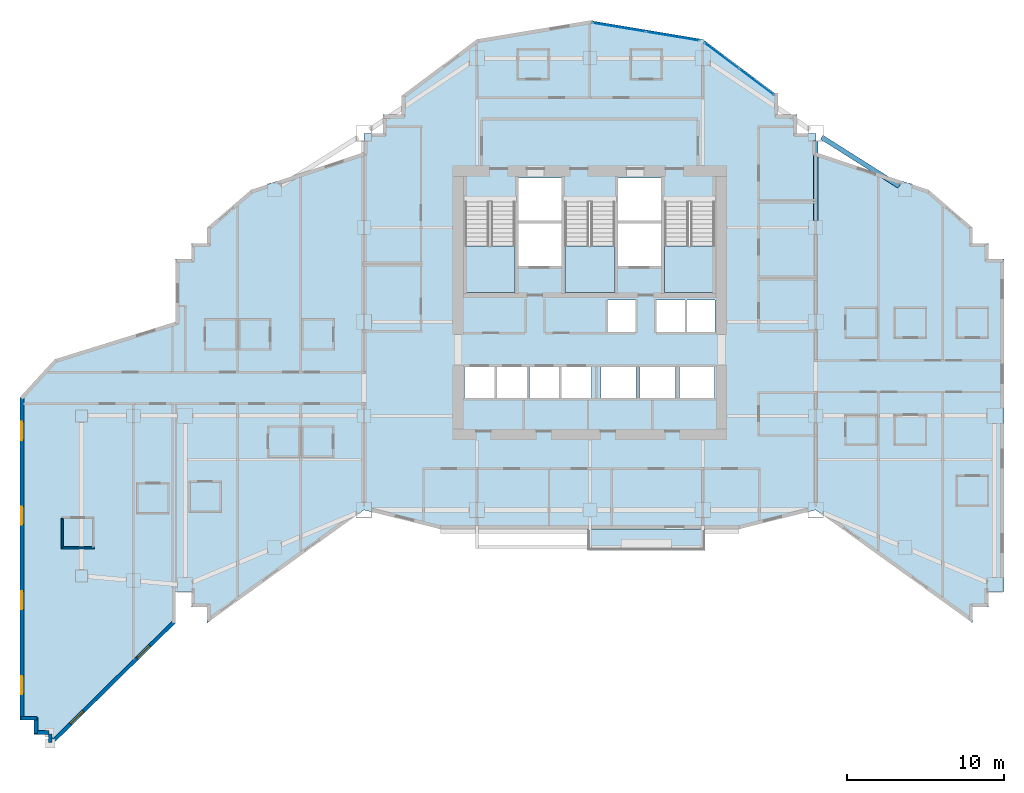
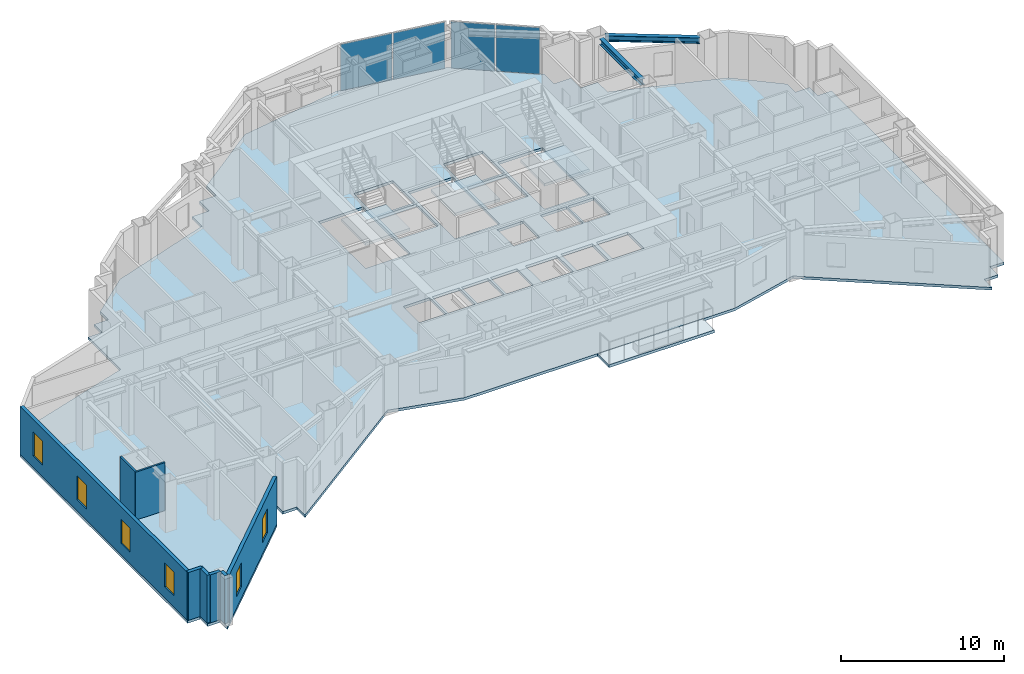
# One storey, part 4 of 13: 8 walls, 6 windows, 5 slabs, 4 plates, 2 beams, 6 openings, 5 elements without a shape of their own.
"""IFC4 building model written with IfcOpenShell, lengths in metres."""

from ifc_helpers import new_model, si_unit, direction, frame, frame_2d, origin, origin_2d, place, context, subcontext, project, spatial, polyline, rectangle, i_section, outline, extrude, material, layer, layer_set, material_profile, profile_set, type_object, element, fill, aggregate, save


model = new_model("IFC4")

# Units and contexts
model_context = context("Model", 3, precision=1e-05, world=origin(), true_north=direction((0.0, 1.0)))
body_context = subcontext(model_context, "Body", "Model", "MODEL_VIEW")
ifc_project = project(units=[si_unit("LENGTHUNIT", "METRE"), si_unit("AREAUNIT", "SQUARE_METRE"), si_unit("VOLUMEUNIT", "CUBIC_METRE"), si_unit("PLANEANGLEUNIT", "RADIAN"), si_unit("MASSUNIT", "GRAM", prefix="KILO")], contexts=[model_context])

# Site, building, storey
site_placement = place(None, origin())
site = spatial("IfcSite", under=ifc_project, at=site_placement, CompositionType="ELEMENT")
building_placement = place(site_placement, origin())
building = spatial("IfcBuilding", under=site, at=building_placement, Name="Haolan Belvedere Tower", CompositionType="ELEMENT")
storey_placement = place(building_placement, frame((0.0, 0.0, 117.39990234375)))
storey = spatial("IfcBuildingStorey", under=building, at=storey_placement, Name="L29", CompositionType="ELEMENT", Elevation=117.39990234375)

# Beams
ifc_material_1 = material(Name="Steel Q355B", Category="steel")
ifc_material_profile = material_profile(ifc_material_1, i_section(OverallWidth=0.300048828125, OverallDepth=0.43994140625, WebThickness=0.010986328125, FlangeThickness=0.01806640625, FilletRadius=0.02392578125, at=origin_2d()), Name="Steel Q355B")
ifc_profile_set = profile_set([ifc_material_profile], Name="Steel Q355B")
beam_type = type_object("IfcBeamType", Name="BM-HM440x300x11x18", PredefinedType="SPANDREL", material=ifc_profile_set)
beam_1_placement = place(storey_placement, frame((52.800048828125, 40.050048828125, 3.380126953125), z_axis=(0.0, 1.0, 0.0), x_axis=(-1.0, 0.0, 0.0)))
element("IfcBeam", 1, at=beam_1_placement, inside=storey, type_object=beam_type, Name="L29 spandrel girder TC-T3-E2-MC-T3-NE", PredefinedType="SPANDREL", context=body_context, shape_type="SweptSolid", body=[
    extrude(i_section(OverallWidth=0.300048828125, OverallDepth=0.43994140625, WebThickness=0.010986328125, FlangeThickness=0.01806640625, FilletRadius=0.02392578125, at=origin_2d()), origin(), (0.0, 0.0, 1.0), 5.099853515625),
])
beam_2_placement = place(storey_placement, frame((53.180419921875, 45.359619140625, 3.380126953125), z_axis=(0.845497840649, -0.533978839898, 0.0), x_axis=(0.533978839898, 0.845497840649, 0.0)))
element("IfcBeam", 2, at=beam_2_placement, inside=storey, type_object=beam_type, Name="L29 spandrel girder MC-T3-NE-TC-T4-N1", PredefinedType="SPANDREL", context=body_context, shape_type="SweptSolid", body=[
    extrude(i_section(OverallWidth=0.300048828125, OverallDepth=0.43994140625, WebThickness=0.010986328125, FlangeThickness=0.01806640625, FilletRadius=0.02392578125, at=origin_2d()), origin(), (0.0, 0.0, 1.0), 5.841796875),
])

# Curtain wall, plates
ifc_material_2 = material(Name="Anodised champagne-silver aluminium 6063-T6 and Low-E glass", Category="aluminium")
ifc_layer_1 = layer(ifc_material_2, 0.155029296875, Name="Anodised champagne-silver aluminium 6063-T6 and Low-E glass")
ifc_layer_set_1 = layer_set([ifc_layer_1], Name="Anodised champagne-silver aluminium 6063-T6 and Low-E glass")
curtain_wall_type = type_object("IfcCurtainWallType", Name="CW-SYS-03", PredefinedType="NOTDEFINED", material=ifc_layer_set_1)
curtain_wall_1_placement = place(storey_placement, origin())
curtain_wall_1 = element("IfcCurtainWall", 3, at=curtain_wall_1_placement, inside=storey, type_object=curtain_wall_type, Name="L29 CW-SYS-03 ribbon curtain wall 26.1", PredefinedType="NOTDEFINED")
ifc_material_3 = material(Name="Double silver Low-E laminated insulating glass", Category="glass")
ifc_layer_2 = layer(ifc_material_3, 0.02392578125, Name="Double silver Low-E laminated insulating glass")
ifc_layer_set_2 = layer_set([ifc_layer_2], Name="Double silver Low-E laminated insulating glass")
plate_type = type_object("IfcPlateType", Name="CW-SYS-03-PNL", PredefinedType="CURTAIN_PANEL", material=ifc_layer_set_2)
plate_1_placement = place(storey_placement, frame((49.0302734375, 48.877197265625, 0.05419921875), z_axis=(0.0, 0.0, 1.0), x_axis=(-0.800004262313, 0.599994316874, 0.0)))
plate_1 = element("IfcPlate", 4, at=plate_1_placement, type_object=plate_type, Name="CW-03 panel 1.1", PredefinedType="CURTAIN_PANEL", context=body_context, shape_type="SweptSolid", body=[
    extrude(rectangle(XDim=2.728271484375, YDim=0.02392578125, at=origin_2d()), origin(), (0.0, 0.0, 1.0), 3.491943359375),
])
plate_2_placement = place(storey_placement, frame((46.80126953125, 50.549072265625, 0.05419921875), z_axis=(0.0, 0.0, 1.0), x_axis=(-0.800004262313, 0.599994316874, 0.0)))
plate_2 = element("IfcPlate", 5, at=plate_2_placement, type_object=plate_type, Name="CW-03 panel 2.1", PredefinedType="CURTAIN_PANEL", context=body_context, shape_type="SweptSolid", body=[
    extrude(rectangle(XDim=2.728271484375, YDim=0.02392578125, at=origin_2d()), origin(), (0.0, 0.0, 1.0), 3.491943359375),
])
aggregate(curtain_wall_1, [plate_1, plate_2])

curtain_wall_2_placement = place(storey_placement, origin())
curtain_wall_2 = element("IfcCurtainWall", 6, at=curtain_wall_2_placement, inside=storey, type_object=curtain_wall_type, Name="L29 CW-SYS-03 ribbon curtain wall 27.1", PredefinedType="NOTDEFINED")
plate_3_placement = place(storey_placement, frame((43.68017578125, 51.79833984375, 0.05419921875), z_axis=(0.0, 0.0, 1.0), x_axis=(-0.9863931483, 0.16440364043, 0.0)))
plate_3 = element("IfcPlate", 7, at=plate_3_placement, type_object=plate_type, Name="CW-03 panel 1.1", PredefinedType="CURTAIN_PANEL", context=body_context, shape_type="SweptSolid", body=[
    extrude(rectangle(XDim=3.39794921875, YDim=0.02392578125, at=origin_2d()), origin(), (0.0, 0.0, 1.0), 3.491943359375),
])
plate_4_placement = place(storey_placement, frame((40.271240234375, 52.366455078125, 0.05419921875), z_axis=(0.0, 0.0, 1.0), x_axis=(-0.9863931483, 0.16440364043, 0.0)))
plate_4 = element("IfcPlate", 8, at=plate_4_placement, type_object=plate_type, Name="CW-03 panel 2.1", PredefinedType="CURTAIN_PANEL", context=body_context, shape_type="SweptSolid", body=[
    extrude(rectangle(XDim=3.39794921875, YDim=0.02392578125, at=origin_2d()), origin(), (0.0, 0.0, 1.0), 3.491943359375),
])
aggregate(curtain_wall_2, [plate_3, plate_4])

# Slabs
ifc_material_4 = material(Name="Concrete C40/50", Category="concrete")
ifc_layer_3 = layer(ifc_material_4, 0.2099609375, Name="Concrete C40/50")
ifc_layer_set_3 = layer_set([ifc_layer_3], Name="Concrete C40/50")
slab_type_1 = type_object("IfcSlabType", Name="SL-BAL-210", PredefinedType="FLOOR", material=ifc_layer_set_3)
slab_1_placement = place(storey_placement, frame((0.0, 0.0, -0.22998046875)))
element("IfcSlab", 9, at=slab_1_placement, inside=storey, type_object=slab_type_1, Name="L29 structural tree-planter balcony slab BAL-L29-S1", PredefinedType="FLOOR", context=body_context, shape_type="SweptSolid", body=[
    extrude(outline(polyline([(38.25, 19.02001953125), (45.75, 19.02001953125), (45.75, 20.39990234375), (38.25, 20.39990234375), (38.25, 19.02001953125)])), origin(), (0.0, 0.0, 1.0), 0.2099609375),
])
ifc_layer_4 = layer(ifc_material_4, 0.199951171875, Name="Concrete C40/50")
ifc_layer_set_4 = layer_set([ifc_layer_4], Name="Concrete C40/50")
slab_type_2 = type_object("IfcSlabType", Name="SL-FLR-200", PredefinedType="FLOOR", material=ifc_layer_set_4)
slab_2_placement = place(storey_placement, frame((0.0, 0.0, -0.199951171875)))
element("IfcSlab", 10, at=slab_2_placement, inside=storey, type_object=slab_type_2, Name="L29 structural floor slab", PredefinedType="FLOOR", context=body_context, shape_type="SweptSolid", body=[
    extrude(outline(polyline([(12.0, 14.39990234375), (12.0, 16.39990234375), (13.0, 16.39990234375), (13.0, 15.39990234375), (14.0, 15.39990234375), (14.0, 14.39990234375), (24.0, 21.60009765625), (28.800048828125, 20.39990234375), (48.0, 20.39990234375), (52.800048828125, 21.60009765625), (62.800048828125, 14.39990234375), (62.800048828125, 15.39990234375), (63.800048828125, 15.39990234375), (63.800048828125, 16.39990234375), (64.800048828125, 16.39990234375), (64.800048828125, 37.60009765625), (63.800048828125, 37.60009765625), (63.800048828125, 38.60009765625), (62.800048828125, 38.60009765625), (62.800048828125, 39.60009765625), (60.0, 42.0), (52.800048828125, 44.39990234375), (52.800048828125, 45.60009765625), (51.60009765625, 45.60009765625), (51.60009765625, 46.800048828125), (50.39990234375, 46.800048828125), (50.39990234375, 48.0), (45.60009765625, 51.60009765625), (38.39990234375, 52.800048828125), (31.199951171875, 51.60009765625), (26.39990234375, 48.0), (26.39990234375, 46.800048828125), (25.199951171875, 46.800048828125), (25.199951171875, 45.60009765625), (24.0, 45.60009765625), (24.0, 44.39990234375), (16.800048828125, 42.0), (14.0, 39.60009765625), (14.0, 38.60009765625), (13.0, 38.60009765625), (13.0, 37.60009765625), (12.0, 37.60009765625), (12.0, 33.60009765625), (4.280029296875, 31.199951171875), (2.080078125, 28.800048828125), (2.080078125, 8.7958984375), (2.080078125, 8.196044921875), (2.97998046875, 8.196044921875), (2.97998046875, 7.2958984375), (3.8798828125, 7.2958984375), (3.8798828125, 6.39599609375), (12.0, 14.39990234375)]), holes=[polyline([(30.449951171875, 41.22998046875), (30.449951171875, 35.449951171875), (33.6298828125, 35.449951171875), (33.6298828125, 41.22998046875), (30.449951171875, 41.22998046875)]), polyline([(36.81005859375, 41.22998046875), (36.81005859375, 35.449951171875), (39.989990234375, 35.449951171875), (39.989990234375, 41.22998046875), (36.81005859375, 41.22998046875)]), polyline([(43.169921875, 41.22998046875), (43.169921875, 35.449951171875), (46.35009765625, 35.449951171875), (46.35009765625, 41.22998046875), (43.169921875, 41.22998046875)]), polyline([(33.830078125, 40.050048828125), (36.610107421875, 40.050048828125), (36.610107421875, 42.75), (33.830078125, 42.75), (33.830078125, 40.050048828125)]), polyline([(33.830078125, 37.14990234375), (36.610107421875, 37.14990234375), (36.610107421875, 39.85009765625), (33.830078125, 39.85009765625), (33.830078125, 37.14990234375)]), polyline([(40.18994140625, 40.050048828125), (42.969970703125, 40.050048828125), (42.969970703125, 42.75), (40.18994140625, 42.75), (40.18994140625, 40.050048828125)]), polyline([(40.18994140625, 37.14990234375), (42.969970703125, 37.14990234375), (42.969970703125, 39.85009765625), (40.18994140625, 39.85009765625), (40.18994140625, 37.14990234375)]), polyline([(39.5400390625, 32.949951171875), (41.389892578125, 32.949951171875), (41.389892578125, 35.0), (39.5400390625, 35.0), (39.5400390625, 32.949951171875)]), polyline([(42.6201171875, 32.949951171875), (44.469970703125, 32.949951171875), (44.469970703125, 35.0), (42.6201171875, 35.0), (42.6201171875, 32.949951171875)]), polyline([(44.580078125, 32.949951171875), (46.3798828125, 32.949951171875), (46.3798828125, 35.0), (44.580078125, 35.0), (44.580078125, 32.949951171875)]), polyline([(30.419921875, 28.75), (32.320068359375, 28.75), (32.320068359375, 30.75), (30.419921875, 30.75), (30.419921875, 28.75)]), polyline([(32.47998046875, 28.75), (34.3798828125, 28.75), (34.3798828125, 30.75), (32.47998046875, 30.75), (32.47998046875, 28.75)]), polyline([(34.5400390625, 28.75), (36.43994140625, 28.75), (36.43994140625, 30.75), (34.5400390625, 30.75), (34.5400390625, 28.75)]), polyline([(36.60009765625, 28.75), (38.5, 28.75), (38.5, 30.75), (36.60009765625, 30.75), (36.60009765625, 28.75)]), polyline([(39.10009765625, 28.75), (41.340087890625, 28.75), (41.340087890625, 30.75), (39.10009765625, 30.75), (39.10009765625, 28.75)]), polyline([(41.610107421875, 28.75), (43.85009765625, 28.75), (43.85009765625, 30.75), (41.610107421875, 30.75), (41.610107421875, 28.75)]), polyline([(44.1201171875, 28.75), (46.360107421875, 28.75), (46.360107421875, 30.75), (44.1201171875, 30.75), (44.1201171875, 28.75)])]), origin(), (0.0, 0.0, 1.0), 0.199951171875),
])

# Stair, slab
stair_type = type_object("IfcStairType", Name="STR-DL-22R-173", PredefinedType="HALF_TURN_STAIR", material=ifc_material_4)
stair_1_placement = place(storey_placement, origin())
stair_1 = element("IfcStair", 11, at=stair_1_placement, inside=storey, type_object=stair_type, Name="L29 Smokeproof Core Exit Stair ST1", PredefinedType="HALF_TURN_STAIR")
ifc_layer_5 = layer(ifc_material_4, 0.199951171875, Name="Concrete C40/50")
ifc_layer_set_5 = layer_set([ifc_layer_5], Name="Concrete C40/50")
slab_type_3 = type_object("IfcSlabType", Name="SL-LAND-200", PredefinedType="LANDING", material=ifc_layer_set_5)
slab_3_placement = place(storey_placement, frame((0.0, 0.0, 1.7001953125)))
slab_3 = element("IfcSlab", 12, at=slab_3_placement, type_object=slab_type_3, Name="ST1 landing 1", PredefinedType="LANDING", context=body_context, shape_type="SweptSolid", body=[
    extrude(outline(polyline([(30.449951171875, 38.429931640625), (30.449951171875, 35.449951171875), (33.6298828125, 35.449951171875), (33.6298828125, 38.429931640625), (30.449951171875, 38.429931640625)])), origin(), (0.0, 0.0, 1.0), 0.199951171875),
])
aggregate(stair_1, [slab_3])

stair_2_placement = place(storey_placement, origin())
stair_2 = element("IfcStair", 13, at=stair_2_placement, inside=storey, type_object=stair_type, Name="L29 Smokeproof Core Exit Stair ST3", PredefinedType="HALF_TURN_STAIR")
slab_4_placement = place(storey_placement, frame((0.0, 0.0, 1.7001953125)))
slab_4 = element("IfcSlab", 14, at=slab_4_placement, type_object=slab_type_3, Name="ST3 landing 1", PredefinedType="LANDING", context=body_context, shape_type="SweptSolid", body=[
    extrude(outline(polyline([(36.81005859375, 38.429931640625), (36.81005859375, 35.449951171875), (39.989990234375, 35.449951171875), (39.989990234375, 38.429931640625), (36.81005859375, 38.429931640625)])), origin(), (0.0, 0.0, 1.0), 0.199951171875),
])
aggregate(stair_2, [slab_4])

stair_3_placement = place(storey_placement, origin())
stair_3 = element("IfcStair", 15, at=stair_3_placement, inside=storey, type_object=stair_type, Name="L29 Smokeproof Core Exit Stair ST2", PredefinedType="HALF_TURN_STAIR")
slab_5_placement = place(storey_placement, frame((0.0, 0.0, 1.7001953125)))
slab_5 = element("IfcSlab", 16, at=slab_5_placement, type_object=slab_type_3, Name="ST2 landing 1", PredefinedType="LANDING", context=body_context, shape_type="SweptSolid", body=[
    extrude(outline(polyline([(43.169921875, 38.429931640625), (43.169921875, 35.449951171875), (46.35009765625, 35.449951171875), (46.35009765625, 38.429931640625), (43.169921875, 38.429931640625)])), origin(), (0.0, 0.0, 1.0), 0.199951171875),
])
aggregate(stair_3, [slab_5])

# Wall, openings, windows
ifc_material_5 = material(Name="Precast concrete C40/50", Category="concrete")
ifc_layer_6 = layer(ifc_material_5, 0.239990234375, Name="Precast concrete C40/50")
ifc_layer_set_6 = layer_set([ifc_layer_6], Name="Precast concrete C40/50")
wall_type_1 = type_object("IfcWallType", Name="WL-EXT-240", PredefinedType="SOLIDWALL", material=ifc_layer_set_6)
wall_1_placement = place(storey_placement, frame((2.199951171875, 28.808349609375, 0.0), z_axis=(0.0, 0.0, 1.0), x_axis=(0.0, -1.0, 0.0)))
wall_1 = element("IfcWall", 17, at=wall_1_placement, inside=storey, type_object=wall_type_1, Name="L29 pale-metal exterior spandrel wall 44.1", PredefinedType="SOLIDWALL", context=body_context, shape_type="SweptSolid", body=[
    extrude(rectangle(XDim=20.54736328125, YDim=0.239990234375, at=frame_2d((10.273681640625, 0.0))), origin(), (0.0, 0.0, 1.0), 3.60009765625),
])
opening_1_placement = place(wall_1_placement, frame((1.60009765625, 0.0, 0.85009765625)))
opening_1 = element("IfcOpeningElement", 18, at=opening_1_placement, cuts=wall_1, Name="Opening W-02", PredefinedType="OPENING", context=body_context, shape_type="SweptSolid", body=[
    extrude(rectangle(XDim=1.14990234375, YDim=1.800048828125, at=frame_2d((0.574951171875, 0.89990234375))), frame((0.0, 0.1298828125, 0.0), z_axis=(0.0, -1.0, 0.0), x_axis=(1.0, 0.0, 0.0)), (0.0, 0.0, 1.0), 0.260009765625),
])
opening_2_placement = place(wall_1_placement, frame((7.0, 0.0, 0.85009765625)))
opening_2 = element("IfcOpeningElement", 19, at=opening_2_placement, cuts=wall_1, Name="Opening W-02", PredefinedType="OPENING", context=body_context, shape_type="SweptSolid", body=[
    extrude(rectangle(XDim=1.14990234375, YDim=1.800048828125, at=frame_2d((0.574951171875, 0.89990234375))), frame((0.0, 0.1298828125, 0.0), z_axis=(0.0, -1.0, 0.0), x_axis=(1.0, 0.0, 0.0)), (0.0, 0.0, 1.0), 0.260009765625),
])
opening_3_placement = place(wall_1_placement, frame((12.39990234375, 0.0, 0.85009765625)))
opening_3 = element("IfcOpeningElement", 20, at=opening_3_placement, cuts=wall_1, Name="Opening W-02", PredefinedType="OPENING", context=body_context, shape_type="SweptSolid", body=[
    extrude(rectangle(XDim=1.14990234375, YDim=1.800048828125, at=frame_2d((0.574951171875, 0.89990234375))), frame((0.0, 0.1298828125, 0.0), z_axis=(0.0, -1.0, 0.0), x_axis=(1.0, 0.0, 0.0)), (0.0, 0.0, 1.0), 0.260009765625),
])
opening_4_placement = place(wall_1_placement, frame((17.800048828125, 0.0, 0.85009765625)))
opening_4 = element("IfcOpeningElement", 21, at=opening_4_placement, cuts=wall_1, Name="Opening W-02", PredefinedType="OPENING", context=body_context, shape_type="SweptSolid", body=[
    extrude(rectangle(XDim=1.14990234375, YDim=1.800048828125, at=frame_2d((0.574951171875, 0.89990234375))), frame((0.0, 0.1298828125, 0.0), z_axis=(0.0, -1.0, 0.0), x_axis=(1.0, 0.0, 0.0)), (0.0, 0.0, 1.0), 0.260009765625),
])
ifc_material_6 = material(Name="Anodised aluminium 6063-T6 and Low-E glass", Category="aluminium")
window_type = type_object("IfcWindowType", Name="WN-DECO-Z2", PartitioningType="SINGLE_PANEL", PredefinedType="WINDOW", material=ifc_material_6)
window_1_placement = place(opening_1_placement, origin())
window_1 = element("IfcWindow", 22, at=window_1_placement, inside=storey, type_object=window_type, Name="L29 Art Deco chevron window 1", OverallHeight=1.800048828125, OverallWidth=1.14990234375, PartitioningType="SINGLE_PANEL", PredefinedType="WINDOW", context=body_context, shape_type="SweptSolid", body=[
    extrude(rectangle(XDim=1.14990234375, YDim=1.800048828125, at=frame_2d((0.574951171875, 0.89990234375))), frame((0.0, 0.030029296875, 0.0), z_axis=(0.0, -1.0, 0.0), x_axis=(1.0, 0.0, 0.0)), (0.0, 0.0, 1.0), 0.06005859375),
])
fill(opening_1, window_1)
window_2_placement = place(opening_2_placement, origin())
window_2 = element("IfcWindow", 23, at=window_2_placement, inside=storey, type_object=window_type, Name="L29 Art Deco chevron window 2", OverallHeight=1.800048828125, OverallWidth=1.14990234375, PartitioningType="SINGLE_PANEL", PredefinedType="WINDOW", context=body_context, shape_type="SweptSolid", body=[
    extrude(rectangle(XDim=1.14990234375, YDim=1.800048828125, at=frame_2d((0.574951171875, 0.89990234375))), frame((0.0, 0.030029296875, 0.0), z_axis=(0.0, -1.0, 0.0), x_axis=(1.0, 0.0, 0.0)), (0.0, 0.0, 1.0), 0.06005859375),
])
fill(opening_2, window_2)
window_3_placement = place(opening_3_placement, origin())
window_3 = element("IfcWindow", 24, at=window_3_placement, inside=storey, type_object=window_type, Name="L29 Art Deco chevron window 3", OverallHeight=1.800048828125, OverallWidth=1.14990234375, PartitioningType="SINGLE_PANEL", PredefinedType="WINDOW", context=body_context, shape_type="SweptSolid", body=[
    extrude(rectangle(XDim=1.14990234375, YDim=1.800048828125, at=frame_2d((0.574951171875, 0.89990234375))), frame((0.0, 0.030029296875, 0.0), z_axis=(0.0, -1.0, 0.0), x_axis=(1.0, 0.0, 0.0)), (0.0, 0.0, 1.0), 0.06005859375),
])
fill(opening_3, window_3)
window_4_placement = place(opening_4_placement, origin())
window_4 = element("IfcWindow", 25, at=window_4_placement, inside=storey, type_object=window_type, Name="L29 Art Deco chevron window 4", OverallHeight=1.800048828125, OverallWidth=1.14990234375, PartitioningType="SINGLE_PANEL", PredefinedType="WINDOW", context=body_context, shape_type="SweptSolid", body=[
    extrude(rectangle(XDim=1.14990234375, YDim=1.800048828125, at=frame_2d((0.574951171875, 0.89990234375))), frame((0.0, 0.030029296875, 0.0), z_axis=(0.0, -1.0, 0.0), x_axis=(1.0, 0.0, 0.0)), (0.0, 0.0, 1.0), 0.06005859375),
])
fill(opening_4, window_4)

# Walls
for number, where, z_axis, x_axis, name in (
    (26, (2.14501953125, 8.31591796875, 0.0), (0.0, 0.0, 1.0), (1.0, 0.0, 0.0), "L29 pale-metal exterior spandrel wall 45.1"),
    (27, (3.10009765625, 8.37109375, 0.0), (0.0, 0.0, 1.0), (0.0, -1.0, 0.0), "L29 pale-metal exterior spandrel wall 46.1"),
):
    element("IfcWall", number, at=place(storey_placement, frame(where, z_axis=z_axis, x_axis=x_axis)), inside=storey, type_object=wall_type_1, Name=name, PredefinedType="SOLIDWALL", context=body_context, shape_type="SweptSolid", body=[
        extrude(rectangle(XDim=1.010009765625, YDim=0.239990234375, at=frame_2d((0.5048828125, 0.0))), origin(), (0.0, 0.0, 1.0), 3.60009765625),
    ])
wall_2_placement = place(storey_placement, frame((3.179931640625, 7.416015625, 0.0), z_axis=(0.0, 0.0, 1.0), x_axis=(1.0, 0.0, 0.0)))
element("IfcWall", 28, at=wall_2_placement, inside=storey, type_object=wall_type_1, Name="L29 pale-metal exterior spandrel wall 47.1", PredefinedType="SOLIDWALL", context=body_context, shape_type="SweptSolid", body=[
    extrude(rectangle(XDim=0.735107421875, YDim=0.239990234375, at=frame_2d((0.36767578125, 0.0))), origin(), (0.0, 0.0, 1.0), 3.60009765625),
])
wall_3_placement = place(storey_placement, frame((4.0, 7.3310546875, 0.0), z_axis=(0.0, 0.0, 1.0), x_axis=(0.0, -1.0, 0.0)))
element("IfcWall", 29, at=wall_3_placement, inside=storey, type_object=wall_type_1, Name="L29 pale-metal exterior spandrel wall 48.1", PredefinedType="SOLIDWALL", context=body_context, shape_type="SweptSolid", body=[
    extrude(rectangle(XDim=0.563232421875, YDim=0.239990234375, at=frame_2d((0.28173828125, 0.0))), origin(), (0.0, 0.0, 1.0), 3.60009765625),
])

# Wall, openings, windows
wall_4_placement = place(storey_placement, frame((4.156494140625, 6.83740234375, 0.0), z_axis=(0.0, 0.0, 1.0), x_axis=(0.712195287167, 0.701981390735, 0.0)))
wall_4 = element("IfcWall", 30, at=wall_4_placement, inside=storey, type_object=wall_type_1, Name="L29 pale-metal exterior spandrel wall 49.1", PredefinedType="SOLIDWALL", context=body_context, shape_type="SweptSolid", body=[
    extrude(rectangle(XDim=10.899658203125, YDim=0.239990234375, at=frame_2d((5.44970703125, 0.0))), origin(), (0.0, 0.0, 1.0), 3.60009765625),
])
opening_5_placement = place(wall_4_placement, frame((1.60009765625, 0.0, 0.85009765625)))
opening_5 = element("IfcOpeningElement", 31, at=opening_5_placement, cuts=wall_4, Name="Opening W-02", PredefinedType="OPENING", context=body_context, shape_type="SweptSolid", body=[
    extrude(rectangle(XDim=1.14990234375, YDim=1.800048828125, at=frame_2d((0.574951171875, 0.89990234375))), frame((0.0, 0.1298828125, 0.0), z_axis=(0.0, -1.0, 0.0), x_axis=(1.0, 0.0, 0.0)), (0.0, 0.0, 1.0), 0.260009765625),
])
opening_6_placement = place(wall_4_placement, frame((7.560546875, 0.0, 0.85009765625)))
opening_6 = element("IfcOpeningElement", 32, at=opening_6_placement, cuts=wall_4, Name="Opening W-02", PredefinedType="OPENING", context=body_context, shape_type="SweptSolid", body=[
    extrude(rectangle(XDim=1.14990234375, YDim=1.800048828125, at=frame_2d((0.574951171875, 0.89990234375))), frame((0.0, 0.1298828125, 0.0), z_axis=(0.0, -1.0, 0.0), x_axis=(1.0, 0.0, 0.0)), (0.0, 0.0, 1.0), 0.260009765625),
])
window_5_placement = place(opening_5_placement, origin())
window_5 = element("IfcWindow", 33, at=window_5_placement, inside=storey, type_object=window_type, Name="L29 Art Deco chevron window 1", OverallHeight=1.800048828125, OverallWidth=1.14990234375, PartitioningType="SINGLE_PANEL", PredefinedType="WINDOW", context=body_context, shape_type="SweptSolid", body=[
    extrude(rectangle(XDim=1.14990234375, YDim=1.800048828125, at=frame_2d((0.574951171875, 0.89990234375))), frame((0.0, 0.030029296875, 0.0), z_axis=(0.0, -1.0, 0.0), x_axis=(1.0, 0.0, 0.0)), (0.0, 0.0, 1.0), 0.06005859375),
])
fill(opening_5, window_5)
window_6_placement = place(opening_6_placement, origin())
window_6 = element("IfcWindow", 34, at=window_6_placement, inside=storey, type_object=window_type, Name="L29 Art Deco chevron window 2", OverallHeight=1.800048828125, OverallWidth=1.14990234375, PartitioningType="SINGLE_PANEL", PredefinedType="WINDOW", context=body_context, shape_type="SweptSolid", body=[
    extrude(rectangle(XDim=1.14990234375, YDim=1.800048828125, at=frame_2d((0.574951171875, 0.89990234375))), frame((0.0, 0.030029296875, 0.0), z_axis=(0.0, -1.0, 0.0), x_axis=(1.0, 0.0, 0.0)), (0.0, 0.0, 1.0), 0.06005859375),
])
fill(opening_6, window_6)

# Walls
ifc_material_7 = material(Name="Moisture-resistant gypsum tile partition", Category="masonry")
ifc_layer_7 = layer(ifc_material_7, 0.1201171875, Name="Moisture-resistant gypsum tile partition")
ifc_layer_set_7 = layer_set([ifc_layer_7], Name="Moisture-resistant gypsum tile partition")
wall_type_2 = type_object("IfcWallType", Name="WL-WET-120", PredefinedType="PARTITIONING", material=ifc_layer_set_7)
wall_5_placement = place(storey_placement, frame((4.705078125, 19.18603515625, 0.0), z_axis=(0.0, 0.0, 1.0), x_axis=(1.0, 0.0, 0.0)))
element("IfcWall", 35, at=wall_5_placement, inside=storey, type_object=wall_type_2, Name="L29 interior partition IW-L29-T1S1-BS", PredefinedType="PARTITIONING", context=body_context, shape_type="SweptSolid", body=[
    extrude(rectangle(XDim=2.099853515625, YDim=0.1201171875, at=frame_2d((1.0498046875, 0.0))), origin(), (0.0, 0.0, 1.0), 3.60009765625),
])
wall_6_placement = place(storey_placement, frame((4.764892578125, 19.23095703125, 0.0), z_axis=(0.0, 0.0, 1.0), x_axis=(0.0, 1.0, 0.0)))
element("IfcWall", 36, at=wall_6_placement, inside=storey, type_object=wall_type_2, Name="L29 interior partition IW-L29-T1S1-BW", PredefinedType="PARTITIONING", context=body_context, shape_type="SweptSolid", body=[
    extrude(rectangle(XDim=1.830078125, YDim=0.1201171875, at=frame_2d((0.9150390625, 0.0))), origin(), (0.0, 0.0, 1.0), 3.60009765625),
])

save(model, "model.ifc")
